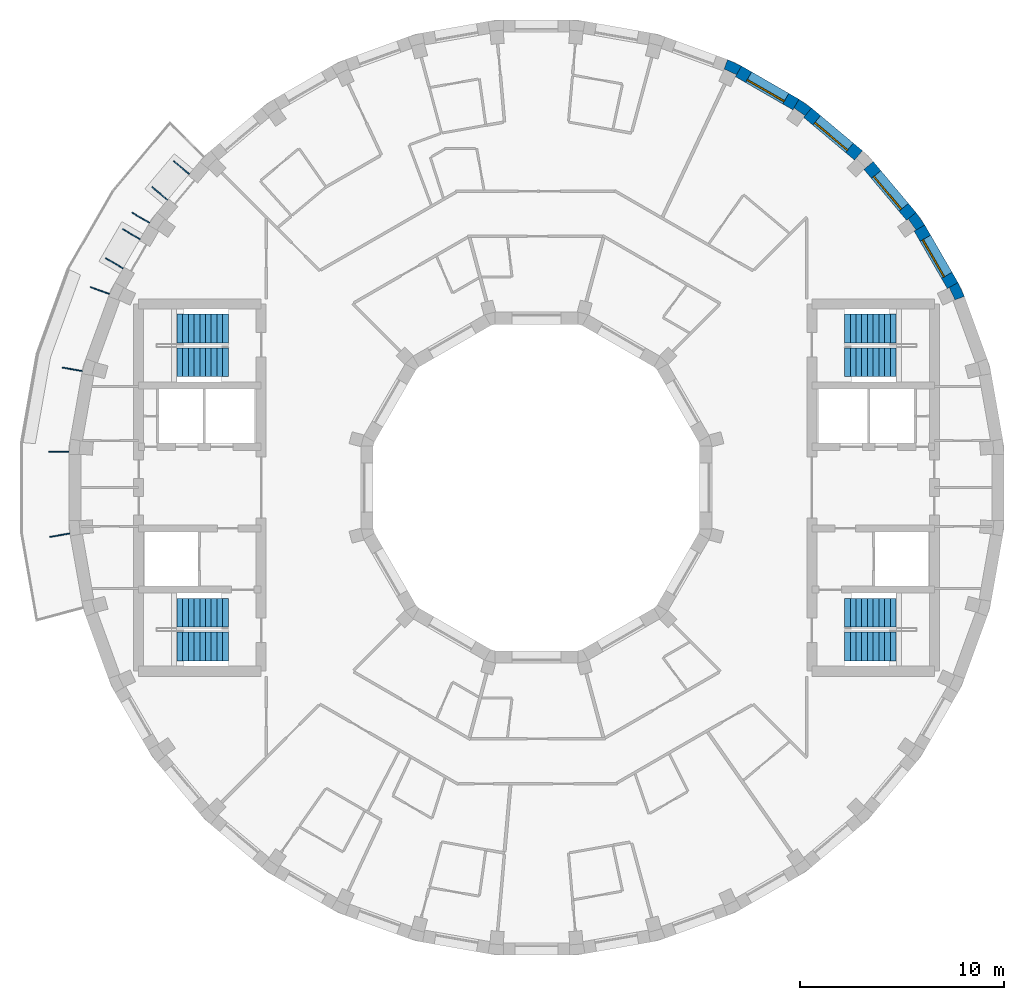
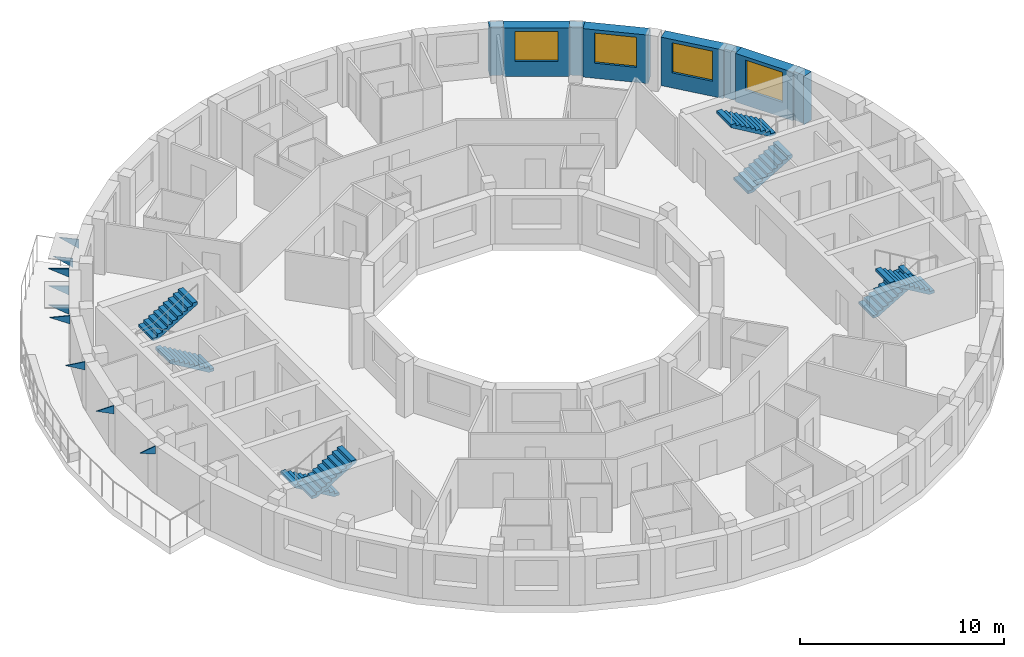
# One storey, part 9 of 10: 9 discrete accessories, 8 stair flights, 8 walls, 4 windows, 4 openings, 4 elements without a shape of their own.
"""IFC4 building model written with IfcOpenShell, lengths in metres."""

from ifc_helpers import new_model, si_unit, direction, frame, frame_2d, origin, place, context, subcontext, project, spatial, polyline, rectangle, outline, extrude, material, layer, layer_set, type_object, element, fill, aggregate, save


model = new_model("IFC4")

# Units and contexts
model_context = context("Model", 3, precision=1e-05, world=origin(), true_north=direction((0.0, 1.0)))
body_context = subcontext(model_context, "Body", "Model", "MODEL_VIEW")
ifc_project = project(units=[si_unit("LENGTHUNIT", "METRE"), si_unit("AREAUNIT", "SQUARE_METRE"), si_unit("VOLUMEUNIT", "CUBIC_METRE"), si_unit("PLANEANGLEUNIT", "RADIAN"), si_unit("MASSUNIT", "GRAM", prefix="KILO")], contexts=[model_context])

# Site, building, storey
site_placement = place(None, origin())
site = spatial("IfcSite", under=ifc_project, at=site_placement, CompositionType="ELEMENT")
building_placement = place(site_placement, origin())
building = spatial("IfcBuilding", under=site, at=building_placement, Name="Saqina Gate Tower", CompositionType="ELEMENT")
storey_placement = place(building_placement, frame((0.0, 0.0, 239.60009765625)))
storey = spatial("IfcBuildingStorey", under=building, at=storey_placement, Name="L68", CompositionType="ELEMENT", Elevation=239.60009765625)

# Walls
ifc_material_1 = material(Name="Brick masonry (buff)", Category="masonry")
wall_type_1 = type_object("IfcWallType", Name="BRICK PIER COPING BUFF", PredefinedType="SOLIDWALL", material=ifc_material_1)
wall_1_placement = place(storey_placement, origin())
element("IfcWall", 1, at=wall_1_placement, inside=storey, type_object=wall_type_1, Name="Pier cap L68 column 3", PredefinedType="SOLIDWALL", context=body_context, shape_type="SweptSolid", body=[
    extrude(outline(polyline([(20.974609375, 9.3642578125), (20.65576171875, 10.048095703125), (20.135986328125, 9.748291015625), (20.23193359375, 9.79296875), (20.506591796875, 9.203857421875), (20.410888671875, 9.1591796875), (20.974609375, 9.3642578125)])), origin(), (0.0, 0.0, 1.0), 2.89990234375),
])
wall_2_placement = place(storey_placement, origin())
element("IfcWall", 2, at=wall_2_placement, inside=storey, type_object=wall_type_1, Name="Pier cap L68 column 4", PredefinedType="SOLIDWALL", context=body_context, shape_type="SweptSolid", body=[
    extrude(outline(polyline([(19.02978515625, 12.8642578125), (18.59716796875, 13.482421875), (18.137451171875, 13.0966796875), (18.22412109375, 13.157470703125), (18.596923828125, 12.625), (18.51025390625, 12.564208984375), (19.02978515625, 12.8642578125)])), origin(), (0.0, 0.0, 1.0), 2.89990234375),
])
wall_3_placement = place(storey_placement, origin())
element("IfcWall", 3, at=wall_3_placement, inside=storey, type_object=wall_type_1, Name="Pier cap L68 column 6", PredefinedType="SOLIDWALL", context=body_context, shape_type="SweptSolid", body=[
    extrude(outline(polyline([(12.8642578125, 19.02978515625), (12.564208984375, 18.51025390625), (12.625, 18.596923828125), (13.157470703125, 18.22412109375), (13.0966796875, 18.137451171875), (13.482421875, 18.59716796875), (12.8642578125, 19.02978515625)])), origin(), (0.0, 0.0, 1.0), 2.89990234375),
])
wall_4_placement = place(storey_placement, origin())
element("IfcWall", 4, at=wall_4_placement, inside=storey, type_object=wall_type_1, Name="Pier cap L68 column 7", PredefinedType="SOLIDWALL", context=body_context, shape_type="SweptSolid", body=[
    extrude(outline(polyline([(10.048095703125, 20.65576171875), (9.3642578125, 20.974609375), (9.1591796875, 20.410888671875), (9.203857421875, 20.506591796875), (9.79296875, 20.23193359375), (9.748291015625, 20.135986328125), (10.048095703125, 20.65576171875)])), origin(), (0.0, 0.0, 1.0), 2.89990234375),
])

# Wall, opening, window
ifc_material_2 = material(Name="Brick masonry (buff)", Category="masonry")
ifc_layer_1 = layer(ifc_material_2, 0.60009765625)
ifc_layer_set_1 = layer_set([ifc_layer_1], Name="FW-BRICK-BUFF")
wall_type_2 = type_object("IfcWallType", Name="FW-BRICK-BUFF", PredefinedType="SOLIDWALL", material=ifc_layer_set_1)
wall_5_placement = place(storey_placement, frame((20.39599609375, 9.898193359375, 0.0), z_axis=(0.0, 0.0, 1.0), x_axis=(-0.500014901547, 0.866016800201, 0.0)))
wall_5 = element("IfcWall", 5, at=wall_5_placement, inside=storey, type_object=wall_type_2, Name="Facade wall L68 facet 3", PredefinedType="SOLIDWALL", context=body_context, shape_type="SweptSolid", body=[
    extrude(rectangle(XDim=3.251953125, YDim=0.60009765625, at=frame_2d((1.6259765625, 0.0))), origin(), (0.0, 0.0, 1.0), 2.89990234375),
])
opening_1_placement = place(wall_5_placement, frame((0.57568359375, 0.0, 0.89990234375)))
opening_1 = element("IfcOpeningElement", 6, at=opening_1_placement, cuts=wall_5, Name="Opening G20-W01", PredefinedType="OPENING", context=body_context, shape_type="SweptSolid", body=[
    extrude(rectangle(XDim=2.10009765625, YDim=1.800048828125, at=frame_2d((1.050048828125, 0.89990234375))), frame((0.0, 0.31201171875, 0.0), z_axis=(0.0, -1.0, 0.0), x_axis=(1.0, 0.0, 0.0)), (0.0, 0.0, 1.0), 0.6240234375),
])
ifc_material_3 = material(Name="Aluminium glazing", Category="aluminium")
window_type = type_object("IfcWindowType", Name="WN-D", PartitioningType="SINGLE_PANEL", PredefinedType="WINDOW", material=ifc_material_3)
window_1_placement = place(opening_1_placement, origin())
window_1 = element("IfcWindow", 7, at=window_1_placement, inside=storey, type_object=window_type, Name="Window L68 facet 3", OverallHeight=1.800048828125, OverallWidth=2.10009765625, PartitioningType="SINGLE_PANEL", PredefinedType="WINDOW", context=body_context, shape_type="SweptSolid", body=[
    extrude(rectangle(XDim=2.10009765625, YDim=1.800048828125, at=frame_2d((1.050048828125, 0.89990234375))), frame((0.0, 0.179931640625, 0.0), z_axis=(0.0, -1.0, 0.0), x_axis=(1.0, 0.0, 0.0)), (0.0, 0.0, 1.0), 0.06005859375),
])
fill(opening_1, window_1)

wall_6_placement = place(storey_placement, frame((18.3671875, 13.28955078125, 0.0), z_axis=(0.0, 0.0, 1.0), x_axis=(-0.64277291405, 0.766056773982, 0.0)))
wall_6 = element("IfcWall", 8, at=wall_6_placement, inside=storey, type_object=wall_type_2, Name="Facade wall L68 facet 4", PredefinedType="SOLIDWALL", context=body_context, shape_type="SweptSolid", body=[
    extrude(rectangle(XDim=3.251708984375, YDim=0.60009765625, at=frame_2d((1.6259765625, 0.0))), origin(), (0.0, 0.0, 1.0), 2.89990234375),
])
opening_2_placement = place(wall_6_placement, frame((0.57568359375, 0.0, 0.89990234375)))
opening_2 = element("IfcOpeningElement", 9, at=opening_2_placement, cuts=wall_6, Name="Opening G20-W02", PredefinedType="OPENING", context=body_context, shape_type="SweptSolid", body=[
    extrude(rectangle(XDim=2.10009765625, YDim=1.800048828125, at=frame_2d((1.050048828125, 0.89990234375))), frame((0.0, 0.31201171875, 0.0), z_axis=(0.0, -1.0, 0.0), x_axis=(1.0, 0.0, 0.0)), (0.0, 0.0, 1.0), 0.6240234375),
])
window_2_placement = place(opening_2_placement, origin())
window_2 = element("IfcWindow", 10, at=window_2_placement, inside=storey, type_object=window_type, Name="Window L68 facet 4", OverallHeight=1.800048828125, OverallWidth=2.10009765625, PartitioningType="SINGLE_PANEL", PredefinedType="WINDOW", context=body_context, shape_type="SweptSolid", body=[
    extrude(rectangle(XDim=2.10009765625, YDim=1.800048828125, at=frame_2d((1.050048828125, 0.89990234375))), frame((0.0, 0.179931640625, 0.0), z_axis=(0.0, -1.0, 0.0), x_axis=(1.0, 0.0, 0.0)), (0.0, 0.0, 1.0), 0.06005859375),
])
fill(opening_2, window_2)

wall_7_placement = place(storey_placement, frame((15.780517578125, 16.277099609375, 0.0), z_axis=(0.0, 0.0, 1.0), x_axis=(-0.766056773982, 0.64277291405, 0.0)))
wall_7 = element("IfcWall", 11, at=wall_7_placement, inside=storey, type_object=wall_type_2, Name="Facade wall L68 facet 5", PredefinedType="SOLIDWALL", context=body_context, shape_type="SweptSolid", body=[
    extrude(rectangle(XDim=3.251708984375, YDim=0.60009765625, at=frame_2d((1.6259765625, 0.0))), origin(), (0.0, 0.0, 1.0), 2.89990234375),
])
opening_3_placement = place(wall_7_placement, frame((0.57568359375, 0.0, 0.89990234375)))
opening_3 = element("IfcOpeningElement", 12, at=opening_3_placement, cuts=wall_7, Name="Opening G20-W03", PredefinedType="OPENING", context=body_context, shape_type="SweptSolid", body=[
    extrude(rectangle(XDim=2.10009765625, YDim=1.800048828125, at=frame_2d((1.050048828125, 0.89990234375))), frame((0.0, 0.31201171875, 0.0), z_axis=(0.0, -1.0, 0.0), x_axis=(1.0, 0.0, 0.0)), (0.0, 0.0, 1.0), 0.6240234375),
])
window_3_placement = place(opening_3_placement, origin())
window_3 = element("IfcWindow", 13, at=window_3_placement, inside=storey, type_object=window_type, Name="Window L68 facet 5", OverallHeight=1.800048828125, OverallWidth=2.10009765625, PartitioningType="SINGLE_PANEL", PredefinedType="WINDOW", context=body_context, shape_type="SweptSolid", body=[
    extrude(rectangle(XDim=2.10009765625, YDim=1.800048828125, at=frame_2d((1.050048828125, 0.89990234375))), frame((0.0, 0.179931640625, 0.0), z_axis=(0.0, -1.0, 0.0), x_axis=(1.0, 0.0, 0.0)), (0.0, 0.0, 1.0), 0.06005859375),
])
fill(opening_3, window_3)

wall_8_placement = place(storey_placement, frame((12.71435546875, 18.77001953125, 0.0), z_axis=(0.0, 0.0, 1.0), x_axis=(-0.866016800201, 0.500014901547, 0.0)))
wall_8 = element("IfcWall", 14, at=wall_8_placement, inside=storey, type_object=wall_type_2, Name="Facade wall L68 facet 6", PredefinedType="SOLIDWALL", context=body_context, shape_type="SweptSolid", body=[
    extrude(rectangle(XDim=3.251953125, YDim=0.60009765625, at=frame_2d((1.6259765625, 0.0))), origin(), (0.0, 0.0, 1.0), 2.89990234375),
])
opening_4_placement = place(wall_8_placement, frame((0.57568359375, 0.0, 0.89990234375)))
opening_4 = element("IfcOpeningElement", 15, at=opening_4_placement, cuts=wall_8, Name="Opening G20-W04", PredefinedType="OPENING", context=body_context, shape_type="SweptSolid", body=[
    extrude(rectangle(XDim=2.10009765625, YDim=1.800048828125, at=frame_2d((1.050048828125, 0.89990234375))), frame((0.0, 0.31201171875, 0.0), z_axis=(0.0, -1.0, 0.0), x_axis=(1.0, 0.0, 0.0)), (0.0, 0.0, 1.0), 0.6240234375),
])
window_4_placement = place(opening_4_placement, origin())
window_4 = element("IfcWindow", 16, at=window_4_placement, inside=storey, type_object=window_type, Name="Window L68 facet 6", OverallHeight=1.800048828125, OverallWidth=2.10009765625, PartitioningType="SINGLE_PANEL", PredefinedType="WINDOW", context=body_context, shape_type="SweptSolid", body=[
    extrude(rectangle(XDim=2.10009765625, YDim=1.800048828125, at=frame_2d((1.050048828125, 0.89990234375))), frame((0.0, 0.179931640625, 0.0), z_axis=(0.0, -1.0, 0.0), x_axis=(1.0, 0.0, 0.0)), (0.0, 0.0, 1.0), 0.06005859375),
])
fill(opening_4, window_4)

# Stair, stair flights
ifc_material_4 = material(Name="Concrete C40/50", Category="concrete")
stair_type = type_object("IfcStairType", Name="EXIT STAIR", PredefinedType="HALF_TURN_STAIR", material=ifc_material_4)
stair_1_placement = place(storey_placement, origin())
stair_1 = element("IfcStair", 17, at=stair_1_placement, inside=storey, type_object=stair_type, Name="EXIT STAIR 1", PredefinedType="HALF_TURN_STAIR")
ifc_material_5 = material(Name="Concrete C40/50", Category="concrete")
stair_flight_type = type_object("IfcStairFlightType", Name="EXIT STAIR FLIGHT", PredefinedType="STRAIGHT", material=ifc_material_5)
stair_flight_1_placement = place(storey_placement, frame((15.10009765625, 6.13330078125, 0.0), z_axis=(0.0, 0.0, 1.0), x_axis=(1.0, 0.0, 0.0)))
stair_flight_1 = element("IfcStairFlight", 18, at=stair_flight_1_placement, type_object=stair_flight_type, Name="EXIT STAIR 1 FLIGHT 1", NumberOfRisers=10, NumberOfTreads=9, PredefinedType="STRAIGHT", RiserHeight=0.165, TreadLength=0.28, context=body_context, shape_type="SweptSolid", body=[
    extrude(outline(polyline([(0.0, 0.0), (0.0, 0.1650390625), (0.280029296875, 0.1650390625), (0.280029296875, 0.330078125), (0.56005859375, 0.330078125), (0.56005859375, 0.4951171875), (0.840087890625, 0.4951171875), (0.840087890625, 0.659912109375), (1.1201171875, 0.659912109375), (1.1201171875, 0.824951171875), (1.39990234375, 0.824951171875), (1.39990234375, 0.989990234375), (1.679931640625, 0.989990234375), (1.679931640625, 1.155029296875), (1.9599609375, 1.155029296875), (1.9599609375, 1.320068359375), (2.239990234375, 1.320068359375), (2.239990234375, 1.485107421875), (2.52001953125, 1.485107421875), (2.52001953125, 1.64990234375), (2.52001953125, 1.31103515625), (0.295166015625, 0.0), (0.0, 0.0)])), frame((0.0, 0.699951171875, 0.0), z_axis=(0.0, -1.0, 0.0), x_axis=(1.0, 0.0, 0.0)), (0.0, 0.0, 1.0), 1.39990234375),
])
stair_flight_2_placement = place(storey_placement, frame((17.6201171875, 7.791748046875, 1.64990234375), z_axis=(0.0, 0.0, 1.0), x_axis=(-1.0, 0.0, 0.0)))
stair_flight_2 = element("IfcStairFlight", 19, at=stair_flight_2_placement, type_object=stair_flight_type, Name="EXIT STAIR 1 FLIGHT 2", NumberOfRisers=10, NumberOfTreads=9, PredefinedType="STRAIGHT", RiserHeight=0.165, TreadLength=0.28, context=body_context, shape_type="SweptSolid", body=[
    extrude(outline(polyline([(0.0, 0.0), (0.0, 0.1650390625), (0.280029296875, 0.1650390625), (0.280029296875, 0.330078125), (0.56005859375, 0.330078125), (0.56005859375, 0.4951171875), (0.840087890625, 0.4951171875), (0.840087890625, 0.659912109375), (1.1201171875, 0.659912109375), (1.1201171875, 0.824951171875), (1.39990234375, 0.824951171875), (1.39990234375, 0.989990234375), (1.679931640625, 0.989990234375), (1.679931640625, 1.155029296875), (1.9599609375, 1.155029296875), (1.9599609375, 1.320068359375), (2.239990234375, 1.320068359375), (2.239990234375, 1.485107421875), (2.52001953125, 1.485107421875), (2.52001953125, 1.64990234375), (2.52001953125, 1.31103515625), (0.295166015625, 0.0), (0.0, 0.0)])), frame((0.0, 0.699951171875, 0.0), z_axis=(0.0, -1.0, 0.0), x_axis=(1.0, 0.0, 0.0)), (0.0, 0.0, 1.0), 1.39990234375),
])
aggregate(stair_1, [stair_flight_1, stair_flight_2])

stair_2_placement = place(storey_placement, origin())
stair_2 = element("IfcStair", 20, at=stair_2_placement, inside=storey, type_object=stair_type, Name="EXIT STAIR 2", PredefinedType="HALF_TURN_STAIR")
stair_flight_3_placement = place(storey_placement, frame((15.10009765625, -6.13330078125, 0.0), z_axis=(0.0, 0.0, 1.0), x_axis=(1.0, 0.0, 0.0)))
stair_flight_3 = element("IfcStairFlight", 21, at=stair_flight_3_placement, type_object=stair_flight_type, Name="EXIT STAIR 2 FLIGHT 1", NumberOfRisers=10, NumberOfTreads=9, PredefinedType="STRAIGHT", RiserHeight=0.165, TreadLength=0.28, context=body_context, shape_type="SweptSolid", body=[
    extrude(outline(polyline([(0.0, 0.0), (0.0, 0.1650390625), (0.280029296875, 0.1650390625), (0.280029296875, 0.330078125), (0.56005859375, 0.330078125), (0.56005859375, 0.4951171875), (0.840087890625, 0.4951171875), (0.840087890625, 0.659912109375), (1.1201171875, 0.659912109375), (1.1201171875, 0.824951171875), (1.39990234375, 0.824951171875), (1.39990234375, 0.989990234375), (1.679931640625, 0.989990234375), (1.679931640625, 1.155029296875), (1.9599609375, 1.155029296875), (1.9599609375, 1.320068359375), (2.239990234375, 1.320068359375), (2.239990234375, 1.485107421875), (2.52001953125, 1.485107421875), (2.52001953125, 1.64990234375), (2.52001953125, 1.31103515625), (0.295166015625, 0.0), (0.0, 0.0)])), frame((0.0, 0.699951171875, 0.0), z_axis=(0.0, -1.0, 0.0), x_axis=(1.0, 0.0, 0.0)), (0.0, 0.0, 1.0), 1.39990234375),
])
stair_flight_4_placement = place(storey_placement, frame((17.6201171875, -7.791748046875, 1.64990234375), z_axis=(0.0, 0.0, 1.0), x_axis=(-1.0, 0.0, 0.0)))
stair_flight_4 = element("IfcStairFlight", 22, at=stair_flight_4_placement, type_object=stair_flight_type, Name="EXIT STAIR 2 FLIGHT 2", NumberOfRisers=10, NumberOfTreads=9, PredefinedType="STRAIGHT", RiserHeight=0.165, TreadLength=0.28, context=body_context, shape_type="SweptSolid", body=[
    extrude(outline(polyline([(0.0, 0.0), (0.0, 0.1650390625), (0.280029296875, 0.1650390625), (0.280029296875, 0.330078125), (0.56005859375, 0.330078125), (0.56005859375, 0.4951171875), (0.840087890625, 0.4951171875), (0.840087890625, 0.659912109375), (1.1201171875, 0.659912109375), (1.1201171875, 0.824951171875), (1.39990234375, 0.824951171875), (1.39990234375, 0.989990234375), (1.679931640625, 0.989990234375), (1.679931640625, 1.155029296875), (1.9599609375, 1.155029296875), (1.9599609375, 1.320068359375), (2.239990234375, 1.320068359375), (2.239990234375, 1.485107421875), (2.52001953125, 1.485107421875), (2.52001953125, 1.64990234375), (2.52001953125, 1.31103515625), (0.295166015625, 0.0), (0.0, 0.0)])), frame((0.0, 0.699951171875, 0.0), z_axis=(0.0, -1.0, 0.0), x_axis=(1.0, 0.0, 0.0)), (0.0, 0.0, 1.0), 1.39990234375),
])
aggregate(stair_2, [stair_flight_3, stair_flight_4])

stair_3_placement = place(storey_placement, origin())
stair_3 = element("IfcStair", 23, at=stair_3_placement, inside=storey, type_object=stair_type, Name="EXIT STAIR 3", PredefinedType="HALF_TURN_STAIR")
stair_flight_5_placement = place(storey_placement, frame((-15.10009765625, 6.13330078125, 0.0), z_axis=(0.0, 0.0, 1.0), x_axis=(-1.0, 0.0, 0.0)))
stair_flight_5 = element("IfcStairFlight", 24, at=stair_flight_5_placement, type_object=stair_flight_type, Name="EXIT STAIR 3 FLIGHT 1", NumberOfRisers=10, NumberOfTreads=9, PredefinedType="STRAIGHT", RiserHeight=0.165, TreadLength=0.28, context=body_context, shape_type="SweptSolid", body=[
    extrude(outline(polyline([(0.0, 0.0), (0.0, 0.1650390625), (0.280029296875, 0.1650390625), (0.280029296875, 0.330078125), (0.56005859375, 0.330078125), (0.56005859375, 0.4951171875), (0.840087890625, 0.4951171875), (0.840087890625, 0.659912109375), (1.1201171875, 0.659912109375), (1.1201171875, 0.824951171875), (1.39990234375, 0.824951171875), (1.39990234375, 0.989990234375), (1.679931640625, 0.989990234375), (1.679931640625, 1.155029296875), (1.9599609375, 1.155029296875), (1.9599609375, 1.320068359375), (2.239990234375, 1.320068359375), (2.239990234375, 1.485107421875), (2.52001953125, 1.485107421875), (2.52001953125, 1.64990234375), (2.52001953125, 1.31103515625), (0.295166015625, 0.0), (0.0, 0.0)])), frame((0.0, 0.699951171875, 0.0), z_axis=(0.0, -1.0, 0.0), x_axis=(1.0, 0.0, 0.0)), (0.0, 0.0, 1.0), 1.39990234375),
])
stair_flight_6_placement = place(storey_placement, frame((-17.6201171875, 7.791748046875, 1.64990234375), z_axis=(0.0, 0.0, 1.0), x_axis=(1.0, 0.0, 0.0)))
stair_flight_6 = element("IfcStairFlight", 25, at=stair_flight_6_placement, type_object=stair_flight_type, Name="EXIT STAIR 3 FLIGHT 2", NumberOfRisers=10, NumberOfTreads=9, PredefinedType="STRAIGHT", RiserHeight=0.165, TreadLength=0.28, context=body_context, shape_type="SweptSolid", body=[
    extrude(outline(polyline([(0.0, 0.0), (0.0, 0.1650390625), (0.280029296875, 0.1650390625), (0.280029296875, 0.330078125), (0.56005859375, 0.330078125), (0.56005859375, 0.4951171875), (0.840087890625, 0.4951171875), (0.840087890625, 0.659912109375), (1.1201171875, 0.659912109375), (1.1201171875, 0.824951171875), (1.39990234375, 0.824951171875), (1.39990234375, 0.989990234375), (1.679931640625, 0.989990234375), (1.679931640625, 1.155029296875), (1.9599609375, 1.155029296875), (1.9599609375, 1.320068359375), (2.239990234375, 1.320068359375), (2.239990234375, 1.485107421875), (2.52001953125, 1.485107421875), (2.52001953125, 1.64990234375), (2.52001953125, 1.31103515625), (0.295166015625, 0.0), (0.0, 0.0)])), frame((0.0, 0.699951171875, 0.0), z_axis=(0.0, -1.0, 0.0), x_axis=(1.0, 0.0, 0.0)), (0.0, 0.0, 1.0), 1.39990234375),
])
aggregate(stair_3, [stair_flight_5, stair_flight_6])

stair_4_placement = place(storey_placement, origin())
stair_4 = element("IfcStair", 26, at=stair_4_placement, inside=storey, type_object=stair_type, Name="EXIT STAIR 4", PredefinedType="HALF_TURN_STAIR")
stair_flight_7_placement = place(storey_placement, frame((-15.10009765625, -6.13330078125, 0.0), z_axis=(0.0, 0.0, 1.0), x_axis=(-1.0, 0.0, 0.0)))
stair_flight_7 = element("IfcStairFlight", 27, at=stair_flight_7_placement, type_object=stair_flight_type, Name="EXIT STAIR 4 FLIGHT 1", NumberOfRisers=10, NumberOfTreads=9, PredefinedType="STRAIGHT", RiserHeight=0.165, TreadLength=0.28, context=body_context, shape_type="SweptSolid", body=[
    extrude(outline(polyline([(0.0, 0.0), (0.0, 0.1650390625), (0.280029296875, 0.1650390625), (0.280029296875, 0.330078125), (0.56005859375, 0.330078125), (0.56005859375, 0.4951171875), (0.840087890625, 0.4951171875), (0.840087890625, 0.659912109375), (1.1201171875, 0.659912109375), (1.1201171875, 0.824951171875), (1.39990234375, 0.824951171875), (1.39990234375, 0.989990234375), (1.679931640625, 0.989990234375), (1.679931640625, 1.155029296875), (1.9599609375, 1.155029296875), (1.9599609375, 1.320068359375), (2.239990234375, 1.320068359375), (2.239990234375, 1.485107421875), (2.52001953125, 1.485107421875), (2.52001953125, 1.64990234375), (2.52001953125, 1.31103515625), (0.295166015625, 0.0), (0.0, 0.0)])), frame((0.0, 0.699951171875, 0.0), z_axis=(0.0, -1.0, 0.0), x_axis=(1.0, 0.0, 0.0)), (0.0, 0.0, 1.0), 1.39990234375),
])
stair_flight_8_placement = place(storey_placement, frame((-17.6201171875, -7.791748046875, 1.64990234375), z_axis=(0.0, 0.0, 1.0), x_axis=(1.0, 0.0, 0.0)))
stair_flight_8 = element("IfcStairFlight", 28, at=stair_flight_8_placement, type_object=stair_flight_type, Name="EXIT STAIR 4 FLIGHT 2", NumberOfRisers=10, NumberOfTreads=9, PredefinedType="STRAIGHT", RiserHeight=0.165, TreadLength=0.28, context=body_context, shape_type="SweptSolid", body=[
    extrude(outline(polyline([(0.0, 0.0), (0.0, 0.1650390625), (0.280029296875, 0.1650390625), (0.280029296875, 0.330078125), (0.56005859375, 0.330078125), (0.56005859375, 0.4951171875), (0.840087890625, 0.4951171875), (0.840087890625, 0.659912109375), (1.1201171875, 0.659912109375), (1.1201171875, 0.824951171875), (1.39990234375, 0.824951171875), (1.39990234375, 0.989990234375), (1.679931640625, 0.989990234375), (1.679931640625, 1.155029296875), (1.9599609375, 1.155029296875), (1.9599609375, 1.320068359375), (2.239990234375, 1.320068359375), (2.239990234375, 1.485107421875), (2.52001953125, 1.485107421875), (2.52001953125, 1.64990234375), (2.52001953125, 1.31103515625), (0.295166015625, 0.0), (0.0, 0.0)])), frame((0.0, 0.699951171875, 0.0), z_axis=(0.0, -1.0, 0.0), x_axis=(1.0, 0.0, 0.0)), (0.0, 0.0, 1.0), 1.39990234375),
])
aggregate(stair_4, [stair_flight_7, stair_flight_8])

# Discrete accessories
ifc_material_6 = material(Name="Galvanised steel", Category="steel")
ifc_layer_2 = layer(ifc_material_6, 0.050048828125)
ifc_layer_set_2 = layer_set([ifc_layer_2], Name="BR-AWNING")
discrete_accessory_type_1 = type_object("IfcDiscreteAccessoryType", Name="BR-AWNING", PredefinedType="BRACKET", material=ifc_layer_set_2)
for number, where, z_axis, x_axis, name in (
    (29, (-17.037109375, 15.34130859375, 1.974853515625), (-0.64277405138, -0.766055819685, 0.0), (0.0, 0.0, 1.0), "Awning bracket L68 facet 14"),
    (30, (-18.098876953125, 14.076171875, 1.974853515625), (-0.64277405138, -0.766055819685, 0.0), (0.0, 0.0, 1.0), "Awning bracket L68 facet 14"),
):
    element("IfcDiscreteAccessory", number, at=place(storey_placement, frame(where, z_axis=z_axis, x_axis=x_axis)), inside=storey, type_object=discrete_accessory_type_1, Name=name, PredefinedType="BRACKET", context=body_context, shape_type="SweptSolid", body=[
        extrude(outline(polyline([(0.0, 0.0), (0.550048828125, 0.0), (0.550048828125, 1.0000750096322273), (0.0, 0.0)])), origin(), (0.0, 0.0, -1.0), 0.050048828125),
    ])
for number, where, z_axis, x_axis, name in (
    (31, (-19.4423828125, 12.14990234375, 1.974853515625), (-0.50002537861, -0.866010750942, 0.0), (0.0, 0.0, 1.0), "Awning bracket L68 facet 15"),
    (32, (-20.268310546875, 10.719482421875, 1.974853515625), (-0.50002537861, -0.866010750942, 0.0), (0.0, 0.0, 1.0), "Awning bracket L68 facet 15"),
):
    element("IfcDiscreteAccessory", number, at=place(storey_placement, frame(where, z_axis=z_axis, x_axis=x_axis)), inside=storey, type_object=discrete_accessory_type_1, Name=name, PredefinedType="BRACKET", context=body_context, shape_type="SweptSolid", body=[
        extrude(outline(polyline([(0.0, 0.0), (0.550048828125, 0.0), (0.550048828125, 0.9999492453569568), (0.0, 0.0)])), origin(), (0.0, 0.0, -1.0), 0.050048828125),
    ])
ifc_material_7 = material(Name="Galvanised steel", Category="steel")
ifc_layer_3 = layer(ifc_material_7, 0.050048828125)
ifc_layer_set_3 = layer_set([ifc_layer_3], Name="BR-GUSSET")
discrete_accessory_type_2 = type_object("IfcDiscreteAccessoryType", Name="BR-GUSSET", PredefinedType="BRACKET", material=ifc_layer_set_3)
discrete_accessory_1_placement = place(storey_placement, frame((-18.97802734375, 12.9541015625, 2.39990234375), z_axis=(-0.50002537861, -0.866010750942, 0.0), x_axis=(0.0, 0.0, 1.0)))
element("IfcDiscreteAccessory", 33, at=discrete_accessory_1_placement, inside=storey, type_object=discrete_accessory_type_2, Name="Terrace slab bracket L69 1", PredefinedType="BRACKET", context=body_context, shape_type="SweptSolid", body=[
    extrude(outline(polyline([(0.0, 0.0), (0.5, 0.0), (0.5, 0.9999492453569568), (0.0, 0.0)])), origin(), (0.0, 0.0, -1.0), 0.050048828125),
])
discrete_accessory_2_placement = place(storey_placement, frame((-20.939208984375, 9.4619140625, 2.39990234375), z_axis=(-0.341821477669, -0.939764905391, 0.0), x_axis=(0.0, 0.0, 1.0)))
element("IfcDiscreteAccessory", 34, at=discrete_accessory_2_placement, inside=storey, type_object=discrete_accessory_type_2, Name="Terrace slab bracket L69 2", PredefinedType="BRACKET", context=body_context, shape_type="SweptSolid", body=[
    extrude(outline(polyline([(0.0, 0.0), (0.5, 0.0), (0.5, 0.999928024801219), (0.0, 0.0)])), origin(), (0.0, 0.0, -1.0), 0.050048828125),
])
discrete_accessory_3_placement = place(storey_placement, frame((-22.263916015625, 5.681884765625, 2.39990234375), z_axis=(-0.173813186416, -0.984778643263, 0.0), x_axis=(0.0, 0.0, 1.0)))
element("IfcDiscreteAccessory", 35, at=discrete_accessory_3_placement, inside=storey, type_object=discrete_accessory_type_2, Name="Terrace slab bracket L69 3", PredefinedType="BRACKET", context=body_context, shape_type="SweptSolid", body=[
    extrude(outline(polyline([(0.0, 0.0), (0.5, 0.0), (0.5, 1.000085946204391), (0.0, 0.0)])), origin(), (0.0, 0.0, -1.0), 0.050048828125),
])
discrete_accessory_4_placement = place(storey_placement, frame((-22.91259765625, 1.7294921875, 2.39990234375), z_axis=(0.0, -1.0, 0.0), x_axis=(0.0, 0.0, 1.0)))
element("IfcDiscreteAccessory", 36, at=discrete_accessory_4_placement, inside=storey, type_object=discrete_accessory_type_2, Name="Terrace slab bracket L69 4", PredefinedType="BRACKET", context=body_context, shape_type="SweptSolid", body=[
    extrude(outline(polyline([(0.0, 0.0), (0.5, 0.0), (0.5, 1.0), (0.0, 0.0)])), origin(), (0.0, 0.0, -1.0), 0.050048828125),
])
discrete_accessory_5_placement = place(storey_placement, frame((-22.86474609375, -2.275390625, 2.39990234375), z_axis=(0.173813186416, -0.984778643263, 0.0), x_axis=(0.0, 0.0, 1.0)))
element("IfcDiscreteAccessory", 37, at=discrete_accessory_5_placement, inside=storey, type_object=discrete_accessory_type_2, Name="Terrace slab bracket L69 5", PredefinedType="BRACKET", context=body_context, shape_type="SweptSolid", body=[
    extrude(outline(polyline([(0.0, 0.0), (0.5, 0.0), (0.5, 1.000085946204391), (0.0, 0.0)])), origin(), (0.0, 0.0, -1.0), 0.050048828125),
])

save(model, "model.ifc")
